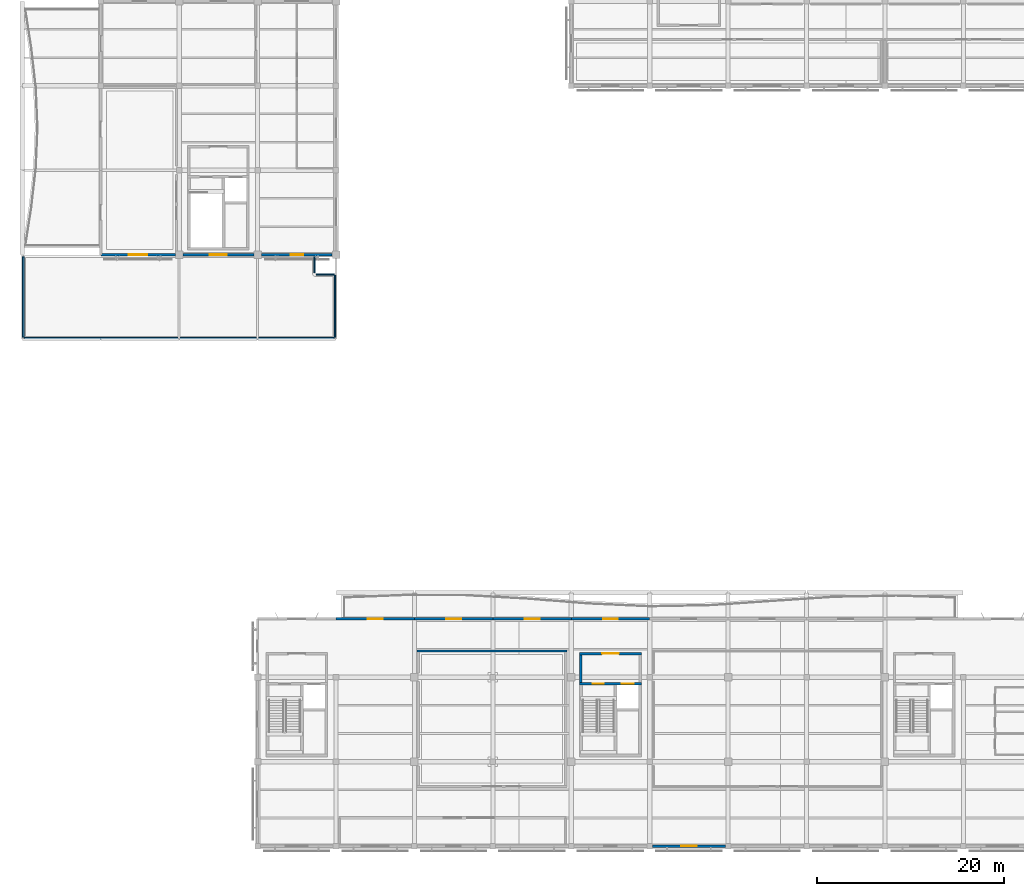
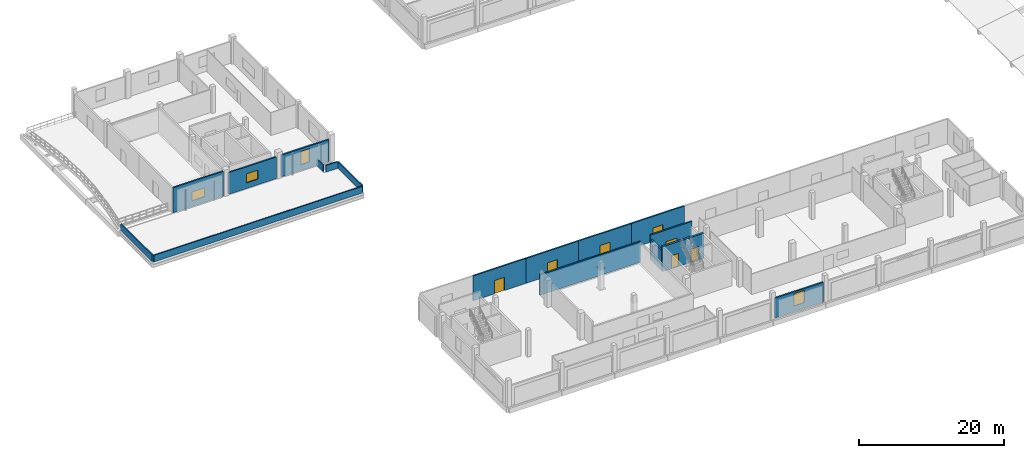
# One storey, part 14 of 34: 17 walls, 7 doors, 4 windows, 11 openings.
"""IFC4 building model written with IfcOpenShell, lengths in metres."""

from ifc_helpers import new_model, si_unit, direction, frame, frame_2d, origin, place, context, subcontext, project, spatial, rectangle, extrude, material, layer, layer_set, type_object, element, fill, save


model = new_model("IFC4")

# Units and contexts
model_context = context("Model", 3, precision=1e-05, world=origin(), true_north=direction((0.0, 1.0)))
body_context = subcontext(model_context, "Body", "Model", "MODEL_VIEW")
ifc_project = project(units=[si_unit("LENGTHUNIT", "METRE"), si_unit("AREAUNIT", "SQUARE_METRE"), si_unit("VOLUMEUNIT", "CUBIC_METRE"), si_unit("PLANEANGLEUNIT", "RADIAN"), si_unit("MASSUNIT", "GRAM", prefix="KILO")], contexts=[model_context])

# Site, building, storey
site_placement = place(None, origin())
site = spatial("IfcSite", under=ifc_project, at=site_placement, CompositionType="ELEMENT")
building_placement = place(site_placement, origin())
building = spatial("IfcBuilding", under=site, at=building_placement, Name="Khurvash Pelagic Aquarium", CompositionType="ELEMENT")
storey_placement = place(building_placement, frame((0.0, 0.0, 15.60009765625)))
storey = spatial("IfcBuildingStorey", under=building, at=storey_placement, Name="L03", CompositionType="ELEMENT", Elevation=15.60009765625)

# Wall, opening, window
ifc_material_1 = material(Name="Glass-fibre reinforced concrete C40/50", Category="concrete")
ifc_layer_1 = layer(ifc_material_1, 0.239990234375)
ifc_layer_set_1 = layer_set([ifc_layer_1], Name="Glass-fibre reinforced concrete C40/50")
wall_type_1 = type_object("IfcWallType", Name="EW-240", PredefinedType="STANDARD", material=ifc_layer_set_1)
wall_1_placement = place(storey_placement, frame((67.5048828125, 2.60009765625, 0.0), z_axis=(0.0, 0.0, 1.0), x_axis=(1.0, 0.0, 0.0)))
wall_1 = element("IfcWall", 1, at=wall_1_placement, inside=storey, type_object=wall_type_1, Name="L03 Exterior Architectural Facade Wall EW-240 0112", PredefinedType="STANDARD", context=body_context, shape_type="SweptSolid", body=[
    extrude(rectangle(XDim=7.7900390625, YDim=0.239990234375, at=frame_2d((3.89501953125, 0.0))), origin(), (0.0, 0.0, 1.0), 3.329833984375),
])
opening_1_placement = place(wall_1_placement, frame((3.054931640625, 0.0, 0.949951171875)))
opening_1 = element("IfcOpeningElement", 2, at=opening_1_placement, cuts=wall_1, Name="Opening WN-34", PredefinedType="OPENING", context=body_context, shape_type="SweptSolid", body=[
    extrude(rectangle(XDim=1.679931640625, YDim=2.080078125, at=frame_2d((0.83984375, 1.0400390625))), frame((0.0, 0.1298828125, 0.0), z_axis=(0.0, -1.0, 0.0), x_axis=(1.0, 0.0, 0.0)), (0.0, 0.0, 1.0), 0.260009765625),
])
ifc_material_2 = material(Name="Thermally broken aluminium and low-E glass", Category="aluminium")
window_type_1 = type_object("IfcWindowType", Name="WN-34", PartitioningType="SINGLE_PANEL", PredefinedType="WINDOW", material=ifc_material_2)
window_1_placement = place(opening_1_placement, origin())
window_1 = element("IfcWindow", 3, at=window_1_placement, inside=storey, type_object=window_type_1, Name="L03 Facade Window WN-34 0073", OverallHeight=2.080078125, OverallWidth=1.679931640625, PartitioningType="SINGLE_PANEL", PredefinedType="WINDOW", context=body_context, shape_type="SweptSolid", body=[
    extrude(rectangle(XDim=1.679931640625, YDim=2.080078125, at=frame_2d((0.83984375, 1.0400390625))), frame((0.0, 0.030029296875, 0.0), z_axis=(0.0, -1.0, 0.0), x_axis=(1.0, 0.0, 0.0)), (0.0, 0.0, 1.0), 0.06005859375),
])
fill(opening_1, window_1)

# Wall, opening, door
wall_2_placement = place(storey_placement, frame((67.199951171875, 26.949951171875, 0.0), z_axis=(0.0, 0.0, 1.0), x_axis=(-1.0, 0.0, 0.0)))
wall_2 = element("IfcWall", 4, at=wall_2_placement, inside=storey, type_object=wall_type_1, Name="L03 Exterior Architectural Facade Wall EW-240 0125", PredefinedType="STANDARD", context=body_context, shape_type="SweptSolid", body=[
    extrude(rectangle(XDim=8.39990234375, YDim=0.239990234375, at=frame_2d((4.199951171875, 0.0))), origin(), (0.0, 0.0, 1.0), 4.199951171875),
])
opening_2_placement = place(wall_2_placement, frame((3.39990234375, 0.0, 0.0)))
opening_2 = element("IfcOpeningElement", 5, at=opening_2_placement, cuts=wall_2, Name="Opening ED-03", PredefinedType="OPENING", context=body_context, shape_type="SweptSolid", body=[
    extrude(rectangle(XDim=1.60009765625, YDim=2.25, at=frame_2d((0.800048828125, 1.125))), frame((0.0, 0.1298828125, 0.0), z_axis=(0.0, -1.0, 0.0), x_axis=(1.0, 0.0, 0.0)), (0.0, 0.0, 1.0), 0.260009765625),
])
ifc_material_3 = material(Name="Thermally broken glazed aluminium", Category="aluminium")
door_type_1 = type_object("IfcDoorType", Name="ED-03", OperationType="DOUBLE_DOOR_SINGLE_SWING", PredefinedType="DOOR", material=ifc_material_3)
door_1_placement = place(opening_2_placement, frame((1.60009765625, 0.0, 0.0), z_axis=(0.0, 0.0, 1.0), x_axis=(-1.0, 0.0, 0.0)))
door_1 = element("IfcDoor", 6, at=door_1_placement, inside=storey, type_object=door_type_1, Name="DR-0188", OperationType="DOUBLE_DOOR_SINGLE_SWING", OverallHeight=2.25, OverallWidth=1.60009765625, PredefinedType="DOOR", context=body_context, shape_type="SweptSolid", body=[
    extrude(rectangle(XDim=1.60009765625, YDim=2.25, at=frame_2d((0.800048828125, 1.125))), frame((0.0, 0.02490234375, 0.0), z_axis=(0.0, -1.0, 0.0), x_axis=(1.0, 0.0, 0.0)), (0.0, 0.0, 1.0), 0.050048828125),
])
fill(opening_2, door_1)

wall_3_placement = place(storey_placement, frame((58.800048828125, 26.949951171875, 0.0), z_axis=(0.0, 0.0, 1.0), x_axis=(-1.0, 0.0, 0.0)))
wall_3 = element("IfcWall", 7, at=wall_3_placement, inside=storey, type_object=wall_type_1, Name="L03 Exterior Architectural Facade Wall EW-240 0126", PredefinedType="STANDARD", context=body_context, shape_type="SweptSolid", body=[
    extrude(rectangle(XDim=8.400146484375, YDim=0.239990234375, at=frame_2d((4.2001953125, 0.0))), origin(), (0.0, 0.0, 1.0), 4.199951171875),
])
opening_3_placement = place(wall_3_placement, frame((3.39990234375, 0.0, 0.0)))
opening_3 = element("IfcOpeningElement", 8, at=opening_3_placement, cuts=wall_3, Name="Opening ED-03", PredefinedType="OPENING", context=body_context, shape_type="SweptSolid", body=[
    extrude(rectangle(XDim=1.60009765625, YDim=2.25, at=frame_2d((0.800048828125, 1.125))), frame((0.0, 0.1298828125, 0.0), z_axis=(0.0, -1.0, 0.0), x_axis=(1.0, 0.0, 0.0)), (0.0, 0.0, 1.0), 0.260009765625),
])
door_2_placement = place(opening_3_placement, frame((1.60009765625, 0.0, 0.0), z_axis=(0.0, 0.0, 1.0), x_axis=(-1.0, 0.0, 0.0)))
door_2 = element("IfcDoor", 9, at=door_2_placement, inside=storey, type_object=door_type_1, Name="DR-0189", OperationType="DOUBLE_DOOR_SINGLE_SWING", OverallHeight=2.25, OverallWidth=1.60009765625, PredefinedType="DOOR", context=body_context, shape_type="SweptSolid", body=[
    extrude(rectangle(XDim=1.60009765625, YDim=2.25, at=frame_2d((0.800048828125, 1.125))), frame((0.0, 0.02490234375, 0.0), z_axis=(0.0, -1.0, 0.0), x_axis=(1.0, 0.0, 0.0)), (0.0, 0.0, 1.0), 0.050048828125),
])
fill(opening_3, door_2)

wall_4_placement = place(storey_placement, frame((50.39990234375, 26.949951171875, 0.0), z_axis=(0.0, 0.0, 1.0), x_axis=(-1.0, 0.0, 0.0)))
wall_4 = element("IfcWall", 10, at=wall_4_placement, inside=storey, type_object=wall_type_1, Name="L03 Exterior Architectural Facade Wall EW-240 0127", PredefinedType="STANDARD", context=body_context, shape_type="SweptSolid", body=[
    extrude(rectangle(XDim=8.39990234375, YDim=0.239990234375, at=frame_2d((4.199951171875, 0.0))), origin(), (0.0, 0.0, 1.0), 4.199951171875),
])
opening_4_placement = place(wall_4_placement, frame((3.39990234375, 0.0, 0.0)))
opening_4 = element("IfcOpeningElement", 11, at=opening_4_placement, cuts=wall_4, Name="Opening ED-03", PredefinedType="OPENING", context=body_context, shape_type="SweptSolid", body=[
    extrude(rectangle(XDim=1.60009765625, YDim=2.25, at=frame_2d((0.800048828125, 1.125))), frame((0.0, 0.1298828125, 0.0), z_axis=(0.0, -1.0, 0.0), x_axis=(1.0, 0.0, 0.0)), (0.0, 0.0, 1.0), 0.260009765625),
])
door_3_placement = place(opening_4_placement, frame((1.60009765625, 0.0, 0.0), z_axis=(0.0, 0.0, 1.0), x_axis=(-1.0, 0.0, 0.0)))
door_3 = element("IfcDoor", 12, at=door_3_placement, inside=storey, type_object=door_type_1, Name="DR-0190", OperationType="DOUBLE_DOOR_SINGLE_SWING", OverallHeight=2.25, OverallWidth=1.60009765625, PredefinedType="DOOR", context=body_context, shape_type="SweptSolid", body=[
    extrude(rectangle(XDim=1.60009765625, YDim=2.25, at=frame_2d((0.800048828125, 1.125))), frame((0.0, 0.02490234375, 0.0), z_axis=(0.0, -1.0, 0.0), x_axis=(1.0, 0.0, 0.0)), (0.0, 0.0, 1.0), 0.050048828125),
])
fill(opening_4, door_3)

wall_5_placement = place(storey_placement, frame((42.0, 26.949951171875, 0.0), z_axis=(0.0, 0.0, 1.0), x_axis=(-1.0, 0.0, 0.0)))
wall_5 = element("IfcWall", 13, at=wall_5_placement, inside=storey, type_object=wall_type_1, Name="L03 Exterior Architectural Facade Wall EW-240 0128", PredefinedType="STANDARD", context=body_context, shape_type="SweptSolid", body=[
    extrude(rectangle(XDim=8.39990234375, YDim=0.239990234375, at=frame_2d((4.199951171875, 0.0))), origin(), (0.0, 0.0, 1.0), 4.199951171875),
])
opening_5_placement = place(wall_5_placement, frame((3.39990234375, 0.0, 0.0)))
opening_5 = element("IfcOpeningElement", 14, at=opening_5_placement, cuts=wall_5, Name="Opening ED-03", PredefinedType="OPENING", context=body_context, shape_type="SweptSolid", body=[
    extrude(rectangle(XDim=1.60009765625, YDim=2.25, at=frame_2d((0.800048828125, 1.125))), frame((0.0, 0.1298828125, 0.0), z_axis=(0.0, -1.0, 0.0), x_axis=(1.0, 0.0, 0.0)), (0.0, 0.0, 1.0), 0.260009765625),
])
door_4_placement = place(opening_5_placement, frame((1.60009765625, 0.0, 0.0), z_axis=(0.0, 0.0, 1.0), x_axis=(-1.0, 0.0, 0.0)))
door_4 = element("IfcDoor", 15, at=door_4_placement, inside=storey, type_object=door_type_1, Name="DR-0191", OperationType="DOUBLE_DOOR_SINGLE_SWING", OverallHeight=2.25, OverallWidth=1.60009765625, PredefinedType="DOOR", context=body_context, shape_type="SweptSolid", body=[
    extrude(rectangle(XDim=1.60009765625, YDim=2.25, at=frame_2d((0.800048828125, 1.125))), frame((0.0, 0.02490234375, 0.0), z_axis=(0.0, -1.0, 0.0), x_axis=(1.0, 0.0, 0.0)), (0.0, 0.0, 1.0), 0.050048828125),
])
fill(opening_5, door_4)

# Wall, opening, window
wall_6_placement = place(storey_placement, frame((8.39990234375, 65.949951171875, 0.0), z_axis=(0.0, 0.0, 1.0), x_axis=(1.0, 0.0, 0.0)))
wall_6 = element("IfcWall", 16, at=wall_6_placement, inside=storey, type_object=wall_type_1, Name="L03 Exterior Architectural Facade Wall EW-240 0136", PredefinedType="STANDARD", context=body_context, shape_type="SweptSolid", body=[
    extrude(rectangle(XDim=7.9951171875, YDim=0.239990234375, at=frame_2d((3.99755859375, 0.0))), origin(), (0.0, 0.0, 1.0), 4.199951171875),
])
opening_6_placement = place(wall_6_placement, frame((2.9970703125, 0.0, 0.949951171875)))
opening_6 = element("IfcOpeningElement", 17, at=opening_6_placement, cuts=wall_6, Name="Opening WN-11", PredefinedType="OPENING", context=body_context, shape_type="SweptSolid", body=[
    extrude(rectangle(XDim=2.0, YDim=1.5, at=frame_2d((1.0, 0.75))), frame((0.0, 0.1298828125, 0.0), z_axis=(0.0, -1.0, 0.0), x_axis=(1.0, 0.0, 0.0)), (0.0, 0.0, 1.0), 0.260009765625),
])
window_type_2 = type_object("IfcWindowType", Name="WN-11", PartitioningType="SINGLE_PANEL", PredefinedType="WINDOW", material=ifc_material_2)
window_2_placement = place(opening_6_placement, origin())
window_2 = element("IfcWindow", 18, at=window_2_placement, inside=storey, type_object=window_type_2, Name="L03 Facade Window WN-11 0084", OverallHeight=1.5, OverallWidth=2.0, PartitioningType="SINGLE_PANEL", PredefinedType="WINDOW", context=body_context, shape_type="SweptSolid", body=[
    extrude(rectangle(XDim=2.0, YDim=1.5, at=frame_2d((1.0, 0.75))), frame((0.0, 0.030029296875, 0.0), z_axis=(0.0, -1.0, 0.0), x_axis=(1.0, 0.0, 0.0)), (0.0, 0.0, 1.0), 0.06005859375),
])
fill(opening_6, window_2)

wall_7_placement = place(storey_placement, frame((17.205078125, 65.949951171875, 0.0), z_axis=(0.0, 0.0, 1.0), x_axis=(1.0, 0.0, 0.0)))
wall_7 = element("IfcWall", 19, at=wall_7_placement, inside=storey, type_object=wall_type_1, Name="L03 Exterior Architectural Facade Wall EW-240 0137", PredefinedType="STANDARD", context=body_context, shape_type="SweptSolid", body=[
    extrude(rectangle(XDim=7.58984375, YDim=0.239990234375, at=frame_2d((3.794921875, 0.0))), origin(), (0.0, 0.0, 1.0), 3.64990234375),
])
opening_7_placement = place(wall_7_placement, frame((2.89501953125, 0.0, 0.949951171875)))
opening_7 = element("IfcOpeningElement", 20, at=opening_7_placement, cuts=wall_7, Name="Opening WN-13", PredefinedType="OPENING", context=body_context, shape_type="SweptSolid", body=[
    extrude(rectangle(XDim=1.800048828125, YDim=1.5, at=frame_2d((0.89990234375, 0.75))), frame((0.0, 0.1298828125, 0.0), z_axis=(0.0, -1.0, 0.0), x_axis=(1.0, 0.0, 0.0)), (0.0, 0.0, 1.0), 0.260009765625),
])
window_type_3 = type_object("IfcWindowType", Name="WN-13", PartitioningType="SINGLE_PANEL", PredefinedType="WINDOW", material=ifc_material_2)
window_3_placement = place(opening_7_placement, origin())
window_3 = element("IfcWindow", 21, at=window_3_placement, inside=storey, type_object=window_type_3, Name="L03 Facade Window WN-13 0085", OverallHeight=1.5, OverallWidth=1.800048828125, PartitioningType="SINGLE_PANEL", PredefinedType="WINDOW", context=body_context, shape_type="SweptSolid", body=[
    extrude(rectangle(XDim=1.800048828125, YDim=1.5, at=frame_2d((0.89990234375, 0.75))), frame((0.0, 0.030029296875, 0.0), z_axis=(0.0, -1.0, 0.0), x_axis=(1.0, 0.0, 0.0)), (0.0, 0.0, 1.0), 0.06005859375),
])
fill(opening_7, window_3)

wall_8_placement = place(storey_placement, frame((25.60498046875, 65.949951171875, 0.0), z_axis=(0.0, 0.0, 1.0), x_axis=(1.0, 0.0, 0.0)))
wall_8 = element("IfcWall", 22, at=wall_8_placement, inside=storey, type_object=wall_type_1, Name="L03 Exterior Architectural Facade Wall EW-240 0138", PredefinedType="STANDARD", context=body_context, shape_type="SweptSolid", body=[
    extrude(rectangle(XDim=7.590087890625, YDim=0.239990234375, at=frame_2d((3.794921875, 0.0))), origin(), (0.0, 0.0, 1.0), 3.64990234375),
])
opening_8_placement = place(wall_8_placement, frame((3.1201171875, 0.0, 0.949951171875)))
opening_8 = element("IfcOpeningElement", 23, at=opening_8_placement, cuts=wall_8, Name="Opening WN-15", PredefinedType="OPENING", context=body_context, shape_type="SweptSolid", body=[
    extrude(rectangle(XDim=1.35009765625, YDim=2.25, at=frame_2d((0.675048828125, 1.125))), frame((0.0, 0.1298828125, 0.0), z_axis=(0.0, -1.0, 0.0), x_axis=(1.0, 0.0, 0.0)), (0.0, 0.0, 1.0), 0.260009765625),
])
window_type_4 = type_object("IfcWindowType", Name="WN-15", PartitioningType="SINGLE_PANEL", PredefinedType="WINDOW", material=ifc_material_2)
window_4_placement = place(opening_8_placement, origin())
window_4 = element("IfcWindow", 24, at=window_4_placement, inside=storey, type_object=window_type_4, Name="L03 Facade Window WN-15 0086", OverallHeight=2.25, OverallWidth=1.35009765625, PartitioningType="SINGLE_PANEL", PredefinedType="WINDOW", context=body_context, shape_type="SweptSolid", body=[
    extrude(rectangle(XDim=1.35009765625, YDim=2.25, at=frame_2d((0.675048828125, 1.125))), frame((0.0, 0.030029296875, 0.0), z_axis=(0.0, -1.0, 0.0), x_axis=(1.0, 0.0, 0.0)), (0.0, 0.0, 1.0), 0.06005859375),
])
fill(opening_8, window_4)

# Walls
ifc_material_4 = material(Name="Precast concrete C40/50", Category="concrete")
ifc_layer_2 = layer(ifc_material_4, 0.179931640625)
ifc_layer_set_2 = layer_set([ifc_layer_2], Name="Precast concrete C40/50")
wall_type_2 = type_object("IfcWallType", Name="PP-180", PredefinedType="PARAPET", material=ifc_layer_set_2)
wall_9_placement = place(storey_placement, frame((33.39990234375, 57.0, 0.0), z_axis=(0.0, 0.0, 1.0), x_axis=(-1.0, 0.0, 0.0)))
element("IfcWall", 25, at=wall_9_placement, inside=storey, type_object=wall_type_2, Name="L03 Roof Perimeter Parapet Wall PP-180", PredefinedType="PARAPET", context=body_context, shape_type="SweptSolid", body=[
    extrude(rectangle(XDim=33.199951171875, YDim=0.179931640625, at=frame_2d((16.60009765625, 0.0))), origin(), (0.0, 0.0, 1.0), 1.119873046875),
])
wall_10_placement = place(storey_placement, frame((0.10009765625, 57.10009765625, 0.0), z_axis=(0.0, 0.0, 1.0), x_axis=(0.0, 1.0, 0.0)))
element("IfcWall", 26, at=wall_10_placement, inside=storey, type_object=wall_type_2, Name="L03 Roof Perimeter Parapet Wall PP-180", PredefinedType="PARAPET", context=body_context, shape_type="SweptSolid", body=[
    extrude(rectangle(XDim=8.64990234375, YDim=0.179931640625, at=frame_2d((4.324951171875, 0.0))), origin(), (0.0, 0.0, 1.0), 1.119873046875),
])
wall_11_placement = place(storey_placement, frame((31.300048828125, 65.75, 0.0), z_axis=(0.0, 0.0, 1.0), x_axis=(0.0, -1.0, 0.0)))
element("IfcWall", 27, at=wall_11_placement, inside=storey, type_object=wall_type_2, Name="L03 Roof Perimeter Parapet Wall PP-180", PredefinedType="PARAPET", context=body_context, shape_type="SweptSolid", body=[
    extrude(rectangle(XDim=1.699951171875, YDim=0.179931640625, at=frame_2d((0.85009765625, 0.0))), origin(), (0.0, 0.0, 1.0), 1.119873046875),
])
wall_12_placement = place(storey_placement, frame((31.5, 63.85009765625, 0.0), z_axis=(0.0, 0.0, 1.0), x_axis=(1.0, 0.0, 0.0)))
element("IfcWall", 28, at=wall_12_placement, inside=storey, type_object=wall_type_2, Name="L03 Roof Perimeter Parapet Wall PP-180", PredefinedType="PARAPET", context=body_context, shape_type="SweptSolid", body=[
    extrude(rectangle(XDim=1.89990234375, YDim=0.179931640625, at=frame_2d((0.949951171875, 0.0))), origin(), (0.0, 0.0, 1.0), 1.119873046875),
])
wall_13_placement = place(storey_placement, frame((33.5, 63.75, 0.0), z_axis=(0.0, 0.0, 1.0), x_axis=(0.0, -1.0, 0.0)))
element("IfcWall", 29, at=wall_13_placement, inside=storey, type_object=wall_type_2, Name="L03 Roof Perimeter Parapet Wall PP-180", PredefinedType="PARAPET", context=body_context, shape_type="SweptSolid", body=[
    extrude(rectangle(XDim=6.64990234375, YDim=0.179931640625, at=frame_2d((3.324951171875, 0.0))), origin(), (0.0, 0.0, 1.0), 1.119873046875),
])
ifc_material_5 = material(Name="AAC blockwork", Category="masonry")
ifc_layer_3 = layer(ifc_material_5, 0.235107421875)
ifc_layer_set_3 = layer_set([ifc_layer_3], Name="AAC blockwork")
wall_type_3 = type_object("IfcWallType", Name="PW-235", PredefinedType="PARTITIONING", material=ifc_layer_set_3)
wall_14_placement = place(storey_placement, frame((42.281982421875, 23.5, 0.0), z_axis=(0.0, 0.0, 1.0), x_axis=(1.0, 0.0, 0.0)))
element("IfcWall", 30, at=wall_14_placement, inside=storey, type_object=wall_type_3, Name="L03 Hydrothermal Vent Ecosystems Gallery Partition Wall PW-235", PredefinedType="PARTITIONING", context=body_context, shape_type="SweptSolid", body=[
    extrude(rectangle(XDim=16.0361328125, YDim=0.235107421875, at=frame_2d((8.01806640625, 0.0))), origin(), (0.0, 0.0, 1.0), 3.429931640625),
])

# Wall, opening, door
ifc_layer_4 = layer(ifc_material_5, 0.25)
ifc_layer_set_4 = layer_set([ifc_layer_4], Name="AAC blockwork")
wall_type_4 = type_object("IfcWallType", Name="PW-250", PredefinedType="PARTITIONING", material=ifc_layer_set_4)
wall_15_placement = place(storey_placement, frame((59.699951171875, 23.22509765625, 0.0), z_axis=(0.0, 0.0, 1.0), x_axis=(1.0, 0.0, 0.0)))
wall_15 = element("IfcWall", 31, at=wall_15_placement, inside=storey, type_object=wall_type_4, Name="L03 Core C2 Lobby Front Fire Wall PW-250", PredefinedType="PARTITIONING", context=body_context, shape_type="SweptSolid", body=[
    extrude(rectangle(XDim=6.60009765625, YDim=0.25, at=frame_2d((3.300048828125, 0.0))), origin(), (0.0, 0.0, 1.0), 4.199951171875),
])
opening_9_placement = place(wall_15_placement, frame((2.39990234375, 0.0, 0.0)))
opening_9 = element("IfcOpeningElement", 32, at=opening_9_placement, cuts=wall_15, Name="Opening FD-02", PredefinedType="OPENING", context=body_context, shape_type="SweptSolid", body=[
    extrude(rectangle(XDim=1.800048828125, YDim=2.25, at=frame_2d((0.89990234375, 1.125))), frame((0.0, 0.135009765625, 0.0), z_axis=(0.0, -1.0, 0.0), x_axis=(1.0, 0.0, 0.0)), (0.0, 0.0, 1.0), 0.27001953125),
])
ifc_material_6 = material(Name="Galvanised steel double fire door", Category="steel")
door_type_2 = type_object("IfcDoorType", Name="FD-02", OperationType="DOUBLE_DOOR_SINGLE_SWING", PredefinedType="DOOR", material=ifc_material_6)
door_5_placement = place(opening_9_placement, origin())
door_5 = element("IfcDoor", 33, at=door_5_placement, inside=storey, type_object=door_type_2, Name="DR-0208", OperationType="DOUBLE_DOOR_SINGLE_SWING", OverallHeight=2.25, OverallWidth=1.800048828125, PredefinedType="DOOR", context=body_context, shape_type="SweptSolid", body=[
    extrude(rectangle(XDim=1.800048828125, YDim=2.25, at=frame_2d((0.89990234375, 1.125))), frame((0.0, 0.02490234375, 0.0), z_axis=(0.0, -1.0, 0.0), x_axis=(1.0, 0.0, 0.0)), (0.0, 0.0, 1.0), 0.050048828125),
])
fill(opening_9, door_5)

# Wall
wall_16_placement = place(storey_placement, frame((59.824951171875, 20.14990234375, 0.0), z_axis=(0.0, 0.0, 1.0), x_axis=(0.0, 1.0, 0.0)))
element("IfcWall", 34, at=wall_16_placement, inside=storey, type_object=wall_type_4, Name="L03 Core C2 Lobby West Fire Wall PW-250", PredefinedType="PARTITIONING", context=body_context, shape_type="SweptSolid", body=[
    extrude(rectangle(XDim=2.9501953125, YDim=0.25, at=frame_2d((1.47509765625, 0.0))), origin(), (0.0, 0.0, 1.0), 3.429931640625),
])

# Wall, openings, doors
ifc_material_7 = material(Name="Concrete C40/50", Category="concrete")
ifc_layer_5 = layer(ifc_material_7, 0.300048828125)
ifc_layer_set_5 = layer_set([ifc_layer_5], Name="Concrete C40/50")
wall_type_5 = type_object("IfcWallType", Name="SW-300", PredefinedType="SHEAR", material=ifc_layer_set_5)
wall_17_placement = place(storey_placement, frame((59.699951171875, 20.0, 0.0), z_axis=(0.0, 0.0, 1.0), x_axis=(1.0, 0.0, 0.0)))
wall_17 = element("IfcWall", 35, at=wall_17_placement, inside=storey, type_object=wall_type_5, Name="L03 Core C2 North Shear Wall SW-300", PredefinedType="SHEAR", context=body_context, shape_type="SweptSolid", body=[
    extrude(rectangle(XDim=6.60009765625, YDim=0.300048828125, at=frame_2d((3.300048828125, 0.0))), origin(), (0.0, 0.0, 1.0), 4.199951171875),
])
opening_10_placement = place(wall_17_placement, frame((1.425048828125, 0.0, 0.0)))
opening_10 = element("IfcOpeningElement", 36, at=opening_10_placement, cuts=wall_17, Name="Opening FD-01", PredefinedType="OPENING", context=body_context, shape_type="SweptSolid", body=[
    extrude(rectangle(XDim=1.14990234375, YDim=2.199951171875, at=frame_2d((0.574951171875, 1.10009765625))), frame((0.0, 0.16015625, 0.0), z_axis=(0.0, -1.0, 0.0), x_axis=(1.0, 0.0, 0.0)), (0.0, 0.0, 1.0), 0.320068359375),
])
opening_11_placement = place(wall_17_placement, frame((4.5, 0.0, 0.0)))
opening_11 = element("IfcOpeningElement", 37, at=opening_11_placement, cuts=wall_17, Name="Opening LD-02", PredefinedType="OPENING", context=body_context, shape_type="SweptSolid", body=[
    extrude(rectangle(XDim=1.300048828125, YDim=2.199951171875, at=frame_2d((0.64990234375, 1.10009765625))), frame((0.0, 0.16015625, 0.0), z_axis=(0.0, -1.0, 0.0), x_axis=(1.0, 0.0, 0.0)), (0.0, 0.0, 1.0), 0.320068359375),
])
ifc_material_8 = material(Name="Galvanised steel fire door", Category="steel")
door_type_3 = type_object("IfcDoorType", Name="FD-01", OperationType="NOTDEFINED", PredefinedType="DOOR", material=ifc_material_8)
door_6_placement = place(opening_10_placement, frame((1.14990234375, 0.0, 0.0), z_axis=(0.0, 0.0, 1.0), x_axis=(-1.0, 0.0, 0.0)))
door_6 = element("IfcDoor", 38, at=door_6_placement, inside=storey, type_object=door_type_3, Name="DR-0173", OperationType="SINGLE_SWING_LEFT", OverallHeight=2.199951171875, OverallWidth=1.14990234375, PredefinedType="DOOR", context=body_context, shape_type="SweptSolid", body=[
    extrude(rectangle(XDim=1.14990234375, YDim=2.199951171875, at=frame_2d((0.574951171875, 1.10009765625))), frame((0.0, 0.02490234375, 0.0), z_axis=(0.0, -1.0, 0.0), x_axis=(1.0, 0.0, 0.0)), (0.0, 0.0, 1.0), 0.050048828125),
])
fill(opening_10, door_6)
ifc_material_9 = material(Name="Brushed stainless steel 316 lift landing door", Category="steel")
door_type_4 = type_object("IfcDoorType", Name="LD-02", OperationType="DOUBLE_DOOR_SLIDING", PredefinedType="DOOR", material=ifc_material_9)
door_7_placement = place(opening_11_placement, origin())
door_7 = element("IfcDoor", 39, at=door_7_placement, inside=storey, type_object=door_type_4, Name="DR-0179", OperationType="DOUBLE_DOOR_SLIDING", OverallHeight=2.199951171875, OverallWidth=1.300048828125, PredefinedType="DOOR", context=body_context, shape_type="SweptSolid", body=[
    extrude(rectangle(XDim=1.300048828125, YDim=2.199951171875, at=frame_2d((0.64990234375, 1.10009765625))), frame((0.0, 0.02490234375, 0.0), z_axis=(0.0, -1.0, 0.0), x_axis=(1.0, 0.0, 0.0)), (0.0, 0.0, 1.0), 0.050048828125),
])
fill(opening_11, door_7)

save(model, "model.ifc")
